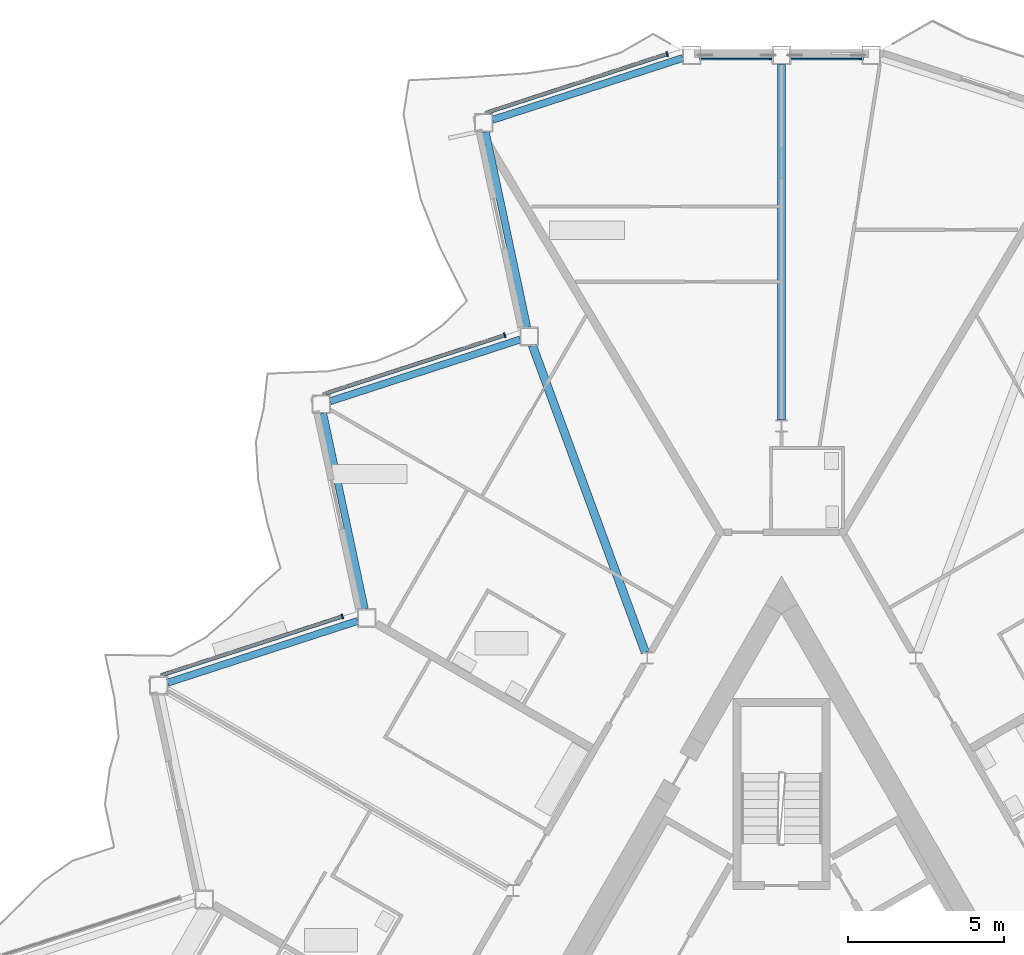
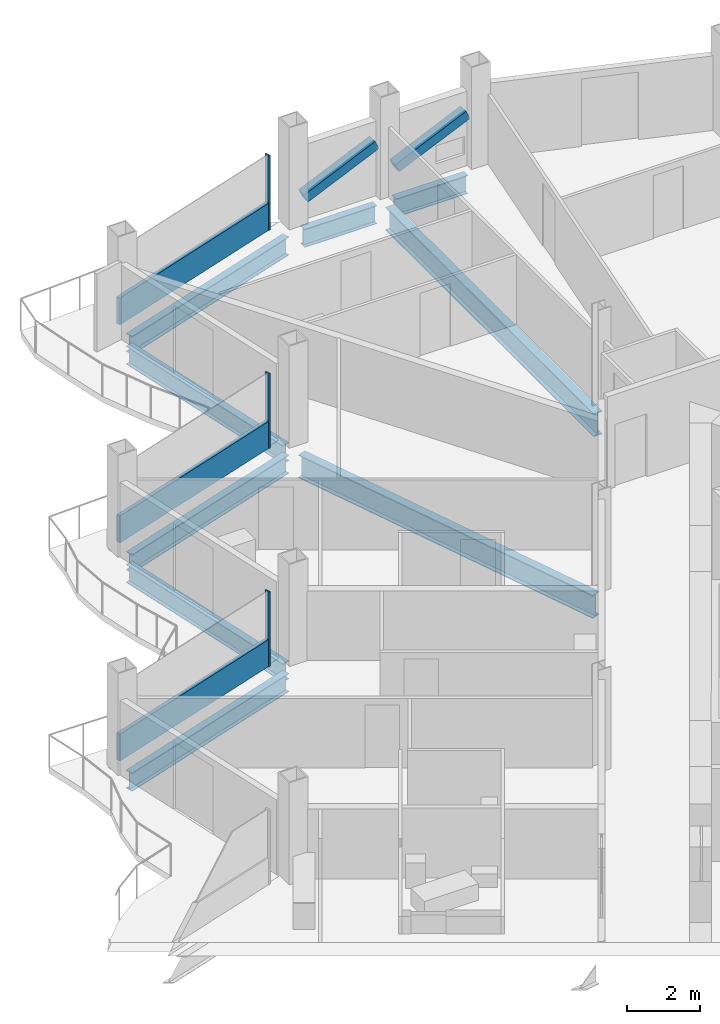
# One storey, part 10 of 26: 9 beams, 8 members, 3 elements without a shape of their own.
"""IFC4 building model written with IfcOpenShell, lengths in metres."""

from ifc_helpers import new_model, si_unit, direction, frame, origin, origin_2d, place, context, subcontext, project, spatial, rectangle, hollow_rectangle, i_section, extrude, material, layer, layer_set, material_profile, profile_set, type_object, element, aggregate, save


model = new_model("IFC4")

# Units and contexts
model_context = context("Model", 3, precision=1e-05, world=origin(), true_north=direction((0.0, 1.0)))
body_context = subcontext(model_context, "Body", "Model", "MODEL_VIEW")
ifc_project = project(units=[si_unit("LENGTHUNIT", "METRE"), si_unit("AREAUNIT", "SQUARE_METRE"), si_unit("VOLUMEUNIT", "CUBIC_METRE"), si_unit("PLANEANGLEUNIT", "RADIAN"), si_unit("MASSUNIT", "GRAM", prefix="KILO")], contexts=[model_context])

# Site, building, storey
site_placement = place(None, origin())
site = spatial("IfcSite", under=ifc_project, at=site_placement, CompositionType="ELEMENT")
building_placement = place(site_placement, origin())
building = spatial("IfcBuilding", under=site, at=building_placement, Name="Cormorant Prow Tower", CompositionType="ELEMENT")
storey_placement = place(building_placement, frame((0.0, 0.0, 325.60009765625)))
storey = spatial("IfcBuildingStorey", under=building, at=storey_placement, Name="L72", CompositionType="ELEMENT", Elevation=325.60009765625)

# Members
ifc_material_1 = material(Name="Structural steel ASTM A500 Gr C", Category="steel")
ifc_material_profile_1 = material_profile(ifc_material_1, hollow_rectangle(XDim=0.3046875, YDim=0.3046875, WallThickness=0.01171875, at=origin_2d()), Name="HSS12x12x1/2")
ifc_profile_set_1 = profile_set([ifc_material_profile_1], Name="Structural steel ASTM A500 Gr C")
member_type_1 = type_object("IfcMemberType", Name="Chamfer brace HSS12x12x1/2", PredefinedType="BRACE", material=ifc_profile_set_1)
for number, where, z_axis, x_axis, name in (
    (1, (0.31494140625, 31.676025390625, 0.740966796875), (0.912529767993, 0.0, 0.409010296359), (0.0, 1.0, 0.0), "Chamfer brace BR3 at N00 L72"),
    (2, (-2.55908203125, 31.676025390625, 0.740966796875), (0.912529767993, 0.0, 0.409010296359), (0.0, 1.0, 0.0), "Chamfer brace BR3 at N01 L72"),
):
    element("IfcMember", number, at=place(storey_placement, frame(where, z_axis=z_axis, x_axis=x_axis)), inside=storey, type_object=member_type_1, Name=name, PredefinedType="BRACE", context=body_context, shape_type="SweptSolid", body=[
        extrude(hollow_rectangle(XDim=0.3046875, YDim=0.3046875, WallThickness=0.01171875, at=origin_2d()), origin(), (0.0, 0.0, 1.0), 2.459228515625),
    ])

# Beams
ifc_material_2 = material(Name="Structural steel ASTM A992 Gr 50", Category="steel")
ifc_material_profile_2 = material_profile(ifc_material_2, i_section(OverallWidth=0.267822265625, OverallDepth=0.77001953125, WebThickness=0.015625, FlangeThickness=0.025390625, at=origin_2d()), Name="W30x132")
ifc_profile_set_2 = profile_set([ifc_material_profile_2], Name="Structural steel ASTM A992 Gr 50")
beam_type_1 = type_object("IfcBeamType", Name="Radial floor beam W30x132", PredefinedType="BEAM", material=ifc_profile_set_2)
beam_1_placement = place(storey_placement, frame((0.0, 20.0087890625, -0.68505859375), z_axis=(0.0, 1.0, 0.0), x_axis=(-1.0, 0.0, 0.0)))
element("IfcBeam", 3, at=beam_1_placement, inside=storey, type_object=beam_type_1, Name="Radial floor beam FB3 1 L72", PredefinedType="BEAM", context=body_context, shape_type="SweptSolid", body=[
    extrude(i_section(OverallWidth=0.267822265625, OverallDepth=0.77001953125, WebThickness=0.015625, FlangeThickness=0.025390625, at=origin_2d()), origin(), (0.0, 0.0, 1.0), 11.3671875),
])
beam_2_placement = place(storey_placement, frame((-4.357421875, 12.5673828125, -0.68505859375), z_axis=(-0.345131226703, 0.938554439739, 0.0), x_axis=(-0.938554439739, -0.345131226703, 0.0)))
element("IfcBeam", 4, at=beam_2_placement, inside=storey, type_object=beam_type_1, Name="Radial floor beam FB3 2 L72", PredefinedType="BEAM", context=body_context, shape_type="SweptSolid", body=[
    extrude(i_section(OverallWidth=0.267822265625, OverallDepth=0.77001953125, WebThickness=0.015625, FlangeThickness=0.025390625, at=origin_2d()), origin(), (0.0, 0.0, 1.0), 10.465087890625),
])

# Curtain wall, member
ifc_material_3 = material(Name="Aluminium 6063-T6", Category="aluminium")
ifc_layer = layer(ifc_material_3, 0.159912109375)
ifc_layer_set = layer_set([ifc_layer], Name="Aluminium 6063-T6")
curtain_wall_type = type_object("IfcCurtainWallType", Name="Residential unitised curtain wall 160", PredefinedType="NOTDEFINED", material=ifc_layer_set)
curtain_wall_1_placement = place(storey_placement, origin())
curtain_wall_1 = element("IfcCurtainWall", 5, at=curtain_wall_1_placement, inside=storey, type_object=curtain_wall_type, Name="Residential curtain wall WNW00", PredefinedType="NOTDEFINED")
ifc_material_4 = material(Name="Aluminium 6063-T6", Category="aluminium")
ifc_material_profile_3 = material_profile(ifc_material_4, rectangle(XDim=0.159912109375, YDim=0.050048828125, at=origin_2d()), Name="Residential mullion 50x160")
ifc_profile_set_3 = profile_set([ifc_material_profile_3], Name="Aluminium 6063-T6")
member_type_2 = type_object("IfcMemberType", Name="Residential mullion 50x160", PredefinedType="MULLION", material=ifc_profile_set_3)
member_1_placement = place(storey_placement, frame((-3.66015625, 31.7109375, 0.0), z_axis=(0.0, 0.0, 1.0), x_axis=(0.309016892523, -0.951056549389, 0.0)))
member_1 = element("IfcMember", 6, at=member_1_placement, type_object=member_type_2, Name="Residential mullion WNW00", PredefinedType="MULLION", context=body_context, shape_type="SweptSolid", body=[
    extrude(rectangle(XDim=0.159912109375, YDim=0.050048828125, at=origin_2d()), origin(), (0.0, 0.0, 1.0), 2.48779296875),
])

curtain_wall_2_placement = place(storey_placement, origin())
curtain_wall_2 = element("IfcCurtainWall", 7, at=curtain_wall_2_placement, inside=storey, type_object=curtain_wall_type, Name="Residential curtain wall WNW02", PredefinedType="NOTDEFINED")
member_2_placement = place(storey_placement, frame((-8.854736328125, 22.71337890625, 0.0), z_axis=(0.0, 0.0, 1.0), x_axis=(0.309016892523, -0.951056549389, 0.0)))
member_2 = element("IfcMember", 8, at=member_2_placement, type_object=member_type_2, Name="Residential mullion WNW02", PredefinedType="MULLION", context=body_context, shape_type="SweptSolid", body=[
    extrude(rectangle(XDim=0.159912109375, YDim=0.050048828125, at=origin_2d()), origin(), (0.0, 0.0, 1.0), 2.48779296875),
])

curtain_wall_3_placement = place(storey_placement, origin())
curtain_wall_3 = element("IfcCurtainWall", 9, at=curtain_wall_3_placement, inside=storey, type_object=curtain_wall_type, Name="Residential curtain wall WNW04", PredefinedType="NOTDEFINED")
member_3_placement = place(storey_placement, frame((-14.049560546875, 13.716064453125, 0.0), z_axis=(0.0, 0.0, 1.0), x_axis=(0.309017021913, -0.951056507348, 0.0)))
member_3 = element("IfcMember", 10, at=member_3_placement, type_object=member_type_2, Name="Residential mullion WNW04", PredefinedType="MULLION", context=body_context, shape_type="SweptSolid", body=[
    extrude(rectangle(XDim=0.159912109375, YDim=0.050048828125, at=origin_2d()), origin(), (0.0, 0.0, 1.0), 2.48779296875),
])

# Member
ifc_material_5 = material(Name="Terracotta", Category="masonry")
ifc_material_profile_4 = material_profile(ifc_material_5, rectangle(XDim=0.1201171875, YDim=0.89990234375, at=origin_2d()), Name="Residential terracotta spandrel rail 120x900")
ifc_profile_set_4 = profile_set([ifc_material_profile_4], Name="Terracotta")
member_type_3 = type_object("IfcMemberType", Name="Residential terracotta spandrel rail 120x900", PredefinedType="USERDEFINED", material=ifc_profile_set_4)
member_4_placement = place(storey_placement, frame((-3.683837890625, 31.703125, 0.449951171875), z_axis=(-0.951068041312, -0.30898152177, 0.0), x_axis=(0.30898152177, -0.951068041312, 0.0)))
member_4 = element("IfcMember", 11, at=member_4_placement, type_object=member_type_3, Name="Residential spandrel rail WNW00", ObjectType="TRANSOM", PredefinedType="USERDEFINED", context=body_context, shape_type="SweptSolid", body=[
    extrude(rectangle(XDim=0.1201171875, YDim=0.89990234375, at=origin_2d()), origin(), (0.0, 0.0, 1.0), 6.072265625),
])

aggregate(curtain_wall_1, [member_1, member_4])

member_5_placement = place(storey_placement, frame((-8.878662109375, 22.705810546875, 0.449951171875), z_axis=(-0.951052386284, -0.309029704954, 0.0), x_axis=(0.309029704954, -0.951052386284, 0.0)))
member_5 = element("IfcMember", 12, at=member_5_placement, type_object=member_type_3, Name="Residential spandrel rail WNW02", ObjectType="TRANSOM", PredefinedType="USERDEFINED", context=body_context, shape_type="SweptSolid", body=[
    extrude(rectangle(XDim=0.1201171875, YDim=0.89990234375, at=origin_2d()), origin(), (0.0, 0.0, 1.0), 6.072021484375),
])

aggregate(curtain_wall_2, [member_2, member_5])

member_6_placement = place(storey_placement, frame((-14.0732421875, 13.708251953125, 0.449951171875), z_axis=(-0.95105622579, -0.309017888456, 0.0), x_axis=(0.309017888456, -0.95105622579, 0.0)))
member_6 = element("IfcMember", 13, at=member_6_placement, type_object=member_type_3, Name="Residential spandrel rail WNW04", ObjectType="TRANSOM", PredefinedType="USERDEFINED", context=body_context, shape_type="SweptSolid", body=[
    extrude(rectangle(XDim=0.1201171875, YDim=0.89990234375, at=origin_2d()), origin(), (0.0, 0.0, 1.0), 6.072265625),
])

aggregate(curtain_wall_3, [member_3, member_6])

# Beams
ifc_material_6 = material(Name="Structural steel ASTM A992 Gr 50", Category="steel")
ifc_material_profile_5 = material_profile(ifc_material_6, i_section(OverallWidth=0.22900390625, OverallDepth=0.612060546875, WebThickness=0.011962890625, FlangeThickness=0.01953125, at=origin_2d()), Name="W24x84")
ifc_profile_set_5 = profile_set([ifc_material_profile_5], Name="Structural steel ASTM A992 Gr 50")
beam_type_2 = type_object("IfcBeamType", Name="Spandrel beam W24x84", PredefinedType="SPANDREL", material=ifc_profile_set_5)
for number, where, z_axis, x_axis, name in (
    (14, (2.57373046875, 31.676025390625, -0.606201171875), (-1.0, 0.0, 0.0), (0.0, -1.0, 0.0), "Spandrel beam SB3 N00-N01 L72"),
    (15, (-0.300048828125, 31.676025390625, -0.606201171875), (-1.0, 0.0, 0.0), (0.0, -1.0, 0.0), "Spandrel beam SB3 N01-WNW00 L72"),
):
    element("IfcBeam", number, at=place(storey_placement, frame(where, z_axis=z_axis, x_axis=x_axis)), inside=storey, type_object=beam_type_2, Name=name, PredefinedType="SPANDREL", context=body_context, shape_type="SweptSolid", body=[
        extrude(i_section(OverallWidth=0.22900390625, OverallDepth=0.612060546875, WebThickness=0.011962890625, FlangeThickness=0.01953125, at=origin_2d()), origin(), (0.0, 0.0, 1.0), 2.273681640625),
    ])
beam_3_placement = place(storey_placement, frame((-3.1591796875, 31.583251953125, -0.606201171875), z_axis=(-0.951064359156, -0.308992855489, 0.0), x_axis=(0.308992855489, -0.951064359156, 0.0)))
element("IfcBeam", 16, at=beam_3_placement, inside=storey, type_object=beam_type_2, Name="Spandrel beam SB3 WNW00-WNW01 L72", PredefinedType="SPANDREL", context=body_context, shape_type="SweptSolid", body=[
    extrude(i_section(OverallWidth=0.22900390625, OverallDepth=0.612060546875, WebThickness=0.011962890625, FlangeThickness=0.01953125, at=origin_2d()), origin(), (0.0, 0.0, 1.0), 6.39599609375),
])
beam_4_placement = place(storey_placement, frame((-9.465087890625, 29.220703125, -0.606201171875), z_axis=(0.20791262393, -0.978147402394, 0.0), x_axis=(0.978147402394, 0.20791262393, 0.0)))
element("IfcBeam", 17, at=beam_4_placement, inside=storey, type_object=beam_type_2, Name="Spandrel beam SB3 WNW01-WNW02 L72", PredefinedType="SPANDREL", context=body_context, shape_type="SweptSolid", body=[
    extrude(i_section(OverallWidth=0.22900390625, OverallDepth=0.612060546875, WebThickness=0.011962890625, FlangeThickness=0.01953125, at=origin_2d()), origin(), (0.0, 0.0, 1.0), 6.396240234375),
])
for number, where, z_axis, x_axis, name in (
    (18, (-8.358154296875, 22.578369140625, -0.606201171875), (-0.95105314132, -0.309027381286, 0.0), (0.309027381286, -0.95105314132, 0.0), "Spandrel beam SB3 WNW02-WNW03 L72"),
    (19, (-14.6640625, 20.215576171875, -0.606201171875), (0.207920386839, -0.978145752297, 0.0), (0.978145752297, 0.207920386839, 0.0), "Spandrel beam SB3 WNW03-WNW04 L72"),
    (20, (-13.557373046875, 13.5732421875, -0.606201171875), (-0.95105314132, -0.309027381286, 0.0), (0.309027381286, -0.95105314132, 0.0), "Spandrel beam SB3 WNW04-WNW05 L72"),
):
    element("IfcBeam", number, at=place(storey_placement, frame(where, z_axis=z_axis, x_axis=x_axis)), inside=storey, type_object=beam_type_2, Name=name, PredefinedType="SPANDREL", context=body_context, shape_type="SweptSolid", body=[
        extrude(i_section(OverallWidth=0.22900390625, OverallDepth=0.612060546875, WebThickness=0.011962890625, FlangeThickness=0.01953125, at=origin_2d()), origin(), (0.0, 0.0, 1.0), 6.39599609375),
    ])

save(model, "model.ifc")
